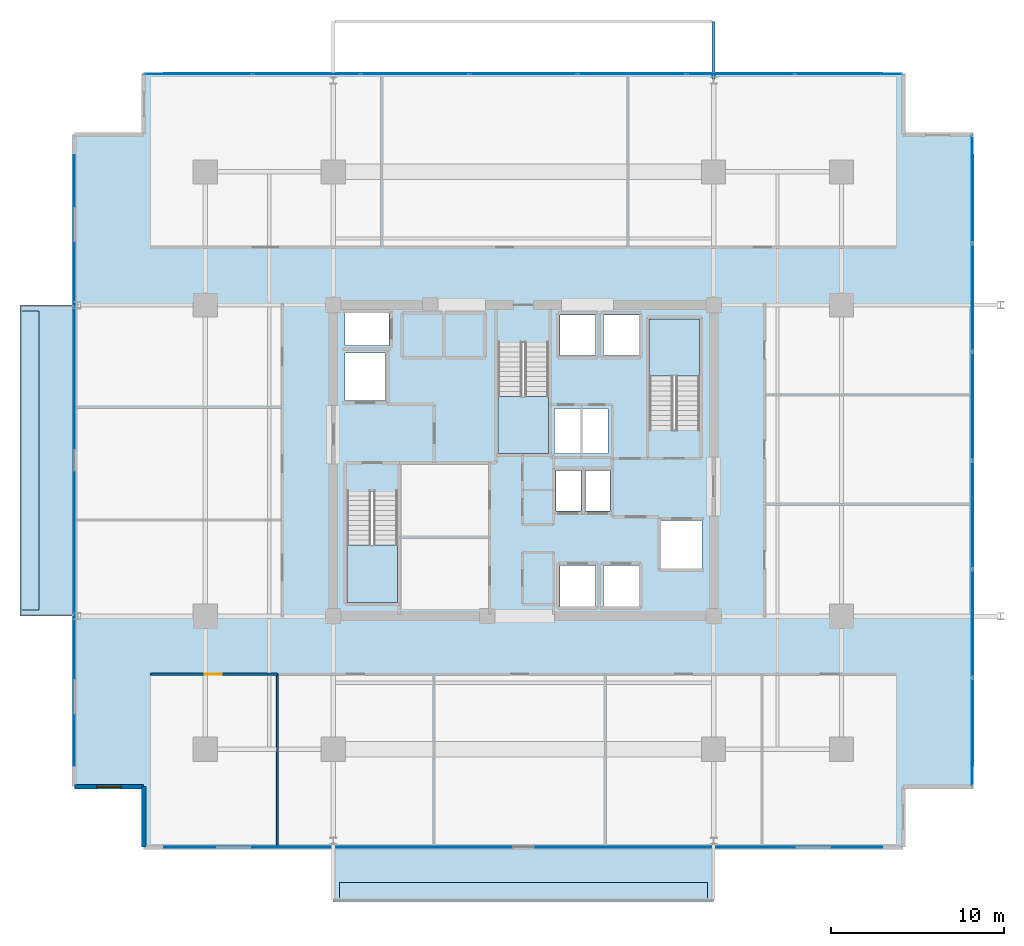
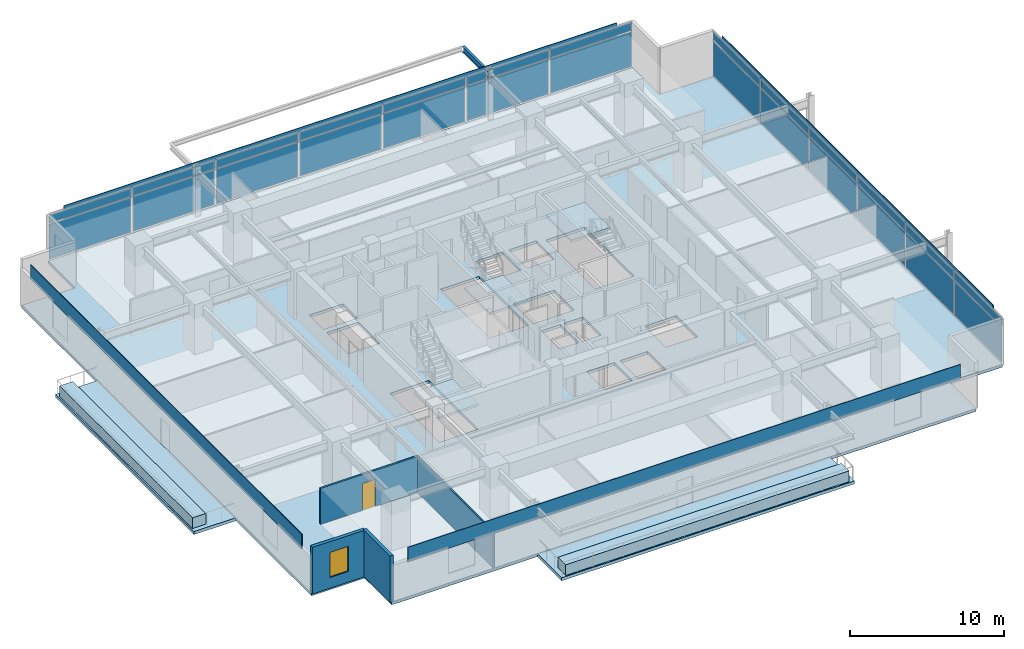
# One storey, part 13 of 22: 30 plates, 8 slabs, 4 walls, 1 beam, 1 door, 1 window, 2 openings, 5 elements without a shape of their own.
"""IFC4 building model written with IfcOpenShell, lengths in metres."""

from ifc_helpers import new_model, si_unit, direction, frame, frame_2d, origin, origin_2d, place, context, subcontext, project, spatial, polyline, rectangle, i_section, outline, extrude, material, layer, layer_set, material_profile, profile_set, type_object, element, fill, aggregate, save


model = new_model("IFC4")

# Units and contexts
model_context = context("Model", 3, precision=1e-05, world=origin(), true_north=direction((0.0, 1.0)))
body_context = subcontext(model_context, "Body", "Model", "MODEL_VIEW")
ifc_project = project(units=[si_unit("LENGTHUNIT", "METRE"), si_unit("AREAUNIT", "SQUARE_METRE"), si_unit("VOLUMEUNIT", "CUBIC_METRE"), si_unit("PLANEANGLEUNIT", "RADIAN"), si_unit("MASSUNIT", "GRAM", prefix="KILO")], contexts=[model_context])

# Site, building, storey
site_placement = place(None, origin())
site = spatial("IfcSite", under=ifc_project, at=site_placement, CompositionType="ELEMENT")
building_placement = place(site_placement, origin())
building = spatial("IfcBuilding", under=site, at=building_placement, Name="Kovane Verandah Tower", CompositionType="ELEMENT")
storey_placement = place(building_placement, frame((0.0, 0.0, 229.199951171875)))
storey = spatial("IfcBuildingStorey", under=building, at=storey_placement, Name="L53", CompositionType="ELEMENT", Elevation=229.199951171875)

# Beam
ifc_material_1 = material(Name="Steel S355", Category="steel")
ifc_material_profile = material_profile(ifc_material_1, i_section(OverallWidth=0.19287109375, OverallDepth=0.46728515625, WebThickness=0.011474609375, FlangeThickness=0.01953125, FilletRadius=0.01025390625, at=origin_2d()), Name="UB457x191x98")
ifc_profile_set = profile_set([ifc_material_profile], Name="Steel S355")
beam_type = type_object("IfcBeamType", Name="JST-UB457x98", PredefinedType="JOIST", material=ifc_profile_set)
beam_placement = place(storey_placement, frame((51.0, 49.580078125, 3.466552734375), z_axis=(0.0, 1.0, 0.0), x_axis=(-1.0, 0.0, 0.0)))
element("IfcBeam", 1, at=beam_placement, inside=storey, type_object=beam_type, Name="L53 North Planter Girder 2", PredefinedType="JOIST", context=body_context, shape_type="SweptSolid", body=[
    extrude(i_section(OverallWidth=0.19287109375, OverallDepth=0.46728515625, WebThickness=0.011474609375, FlangeThickness=0.01953125, FilletRadius=0.01025390625, at=origin_2d()), origin(), (0.0, 0.0, 1.0), 3.319580078125),
])

# Curtain wall, plates
ifc_material_2 = material(Name="Champagne Anodised Aluminium Frame with Low-E Clear Laminated Glass", Category="aluminium")
curtain_wall_type = type_object("IfcCurtainWallType", Name="CW-SYS-03-MID", PredefinedType="NOTDEFINED", material=ifc_material_2)
curtain_wall_1_placement = place(storey_placement, origin())
curtain_wall_1 = element("IfcCurtainWall", 2, at=curtain_wall_1_placement, inside=storey, type_object=curtain_wall_type, Name="L53 E Unitised Curtain Wall", PredefinedType="NOTDEFINED")
ifc_material_3 = material(Name="Pale Champagne Anodised Aluminium Insulated Spandrel", Category="aluminium")
ifc_layer_1 = layer(ifc_material_3, 0.0400390625)
ifc_layer_set_1 = layer_set([ifc_layer_1], Name="Pale Champagne Anodised Aluminium Insulated Spandrel")
plate_type_1 = type_object("IfcPlateType", Name="PL-CW-SPD-40", PredefinedType="SHEET", material=ifc_layer_set_1)
plate_1_placement = place(storey_placement, frame((65.96923828125, 11.783203125, 2.97021484375), z_axis=(0.0, 0.0, 1.0), x_axis=(0.0, 1.0, 0.0)))
plate_1 = element("IfcPlate", 3, at=plate_1_placement, type_object=plate_type_1, Name="L53 E Unitised Curtain Wall Spandrel Panel 1", PredefinedType="SHEET", context=body_context, shape_type="SweptSolid", body=[
    extrude(rectangle(XDim=6.146728515625, YDim=0.0400390625, at=origin_2d()), origin(), (0.0, 0.0, 1.0), 0.639892578125),
])
plate_2_placement = place(storey_placement, frame((65.96923828125, 18.070068359375, 2.97021484375), z_axis=(0.0, 0.0, 1.0), x_axis=(0.0, 1.0, 0.0)))
plate_2 = element("IfcPlate", 4, at=plate_2_placement, type_object=plate_type_1, Name="L53 E Unitised Curtain Wall Spandrel Panel 2", PredefinedType="SHEET", context=body_context, shape_type="SweptSolid", body=[
    extrude(rectangle(XDim=6.146728515625, YDim=0.0400390625, at=origin_2d()), origin(), (0.0, 0.0, 1.0), 0.639892578125),
])
plate_3_placement = place(storey_placement, frame((65.96923828125, 24.356689453125, 2.97021484375), z_axis=(0.0, 0.0, 1.0), x_axis=(0.0, 1.0, 0.0)))
plate_3 = element("IfcPlate", 5, at=plate_3_placement, type_object=plate_type_1, Name="L53 E Unitised Curtain Wall Spandrel Panel 3", PredefinedType="SHEET", context=body_context, shape_type="SweptSolid", body=[
    extrude(rectangle(XDim=6.146728515625, YDim=0.0400390625, at=origin_2d()), origin(), (0.0, 0.0, 1.0), 0.639892578125),
])
plate_4_placement = place(storey_placement, frame((65.96923828125, 30.643310546875, 2.97021484375), z_axis=(0.0, 0.0, 1.0), x_axis=(0.0, 1.0, 0.0)))
plate_4 = element("IfcPlate", 6, at=plate_4_placement, type_object=plate_type_1, Name="L53 E Unitised Curtain Wall Spandrel Panel 4", PredefinedType="SHEET", context=body_context, shape_type="SweptSolid", body=[
    extrude(rectangle(XDim=6.146728515625, YDim=0.0400390625, at=origin_2d()), origin(), (0.0, 0.0, 1.0), 0.639892578125),
])
plate_5_placement = place(storey_placement, frame((65.96923828125, 36.93017578125, 2.97021484375), z_axis=(0.0, 0.0, 1.0), x_axis=(0.0, 1.0, 0.0)))
plate_5 = element("IfcPlate", 7, at=plate_5_placement, type_object=plate_type_1, Name="L53 E Unitised Curtain Wall Spandrel Panel 5", PredefinedType="SHEET", context=body_context, shape_type="SweptSolid", body=[
    extrude(rectangle(XDim=6.146728515625, YDim=0.0400390625, at=origin_2d()), origin(), (0.0, 0.0, 1.0), 0.639892578125),
])
plate_6_placement = place(storey_placement, frame((65.96923828125, 43.216796875, 2.97021484375), z_axis=(0.0, 0.0, 1.0), x_axis=(0.0, 1.0, 0.0)))
plate_6 = element("IfcPlate", 8, at=plate_6_placement, type_object=plate_type_1, Name="L53 E Unitised Curtain Wall Spandrel Panel 6", PredefinedType="SHEET", context=body_context, shape_type="SweptSolid", body=[
    extrude(rectangle(XDim=6.146728515625, YDim=0.0400390625, at=origin_2d()), origin(), (0.0, 0.0, 1.0), 0.639892578125),
])

curtain_wall_2_placement = place(storey_placement, origin())
curtain_wall_2 = element("IfcCurtainWall", 9, at=curtain_wall_2_placement, inside=storey, type_object=curtain_wall_type, Name="L53 N Unitised Curtain Wall", PredefinedType="NOTDEFINED")
plate_7_placement = place(storey_placement, frame((58.830810546875, 49.860107421875, 2.97021484375), z_axis=(0.0, 0.0, 1.0), x_axis=(-1.0, 0.0, 0.0)))
plate_7 = element("IfcPlate", 10, at=plate_7_placement, type_object=plate_type_1, Name="L53 N Unitised Curtain Wall Spandrel Panel 1", PredefinedType="SHEET", context=body_context, shape_type="SweptSolid", body=[
    extrude(rectangle(XDim=6.136962890625, YDim=0.0400390625, at=origin_2d()), origin(), (0.0, 0.0, 1.0), 0.639892578125),
])
plate_8_placement = place(storey_placement, frame((52.553955078125, 49.860107421875, 2.97021484375), z_axis=(0.0, 0.0, 1.0), x_axis=(-1.0, 0.0, 0.0)))
plate_8 = element("IfcPlate", 11, at=plate_8_placement, type_object=plate_type_1, Name="L53 N Unitised Curtain Wall Spandrel Panel 2", PredefinedType="SHEET", context=body_context, shape_type="SweptSolid", body=[
    extrude(rectangle(XDim=6.136962890625, YDim=0.0400390625, at=origin_2d()), origin(), (0.0, 0.0, 1.0), 0.639892578125),
])
plate_9_placement = place(storey_placement, frame((46.27685546875, 49.860107421875, 2.97021484375), z_axis=(0.0, 0.0, 1.0), x_axis=(-1.0, 0.0, 0.0)))
plate_9 = element("IfcPlate", 12, at=plate_9_placement, type_object=plate_type_1, Name="L53 N Unitised Curtain Wall Spandrel Panel 3", PredefinedType="SHEET", context=body_context, shape_type="SweptSolid", body=[
    extrude(rectangle(XDim=6.136962890625, YDim=0.0400390625, at=origin_2d()), origin(), (0.0, 0.0, 1.0), 0.639892578125),
])
plate_10_placement = place(storey_placement, frame((40.0, 49.860107421875, 2.97021484375), z_axis=(0.0, 0.0, 1.0), x_axis=(-1.0, 0.0, 0.0)))
plate_10 = element("IfcPlate", 13, at=plate_10_placement, type_object=plate_type_1, Name="L53 N Unitised Curtain Wall Spandrel Panel 4", PredefinedType="SHEET", context=body_context, shape_type="SweptSolid", body=[
    extrude(rectangle(XDim=6.136962890625, YDim=0.0400390625, at=origin_2d()), origin(), (0.0, 0.0, 1.0), 0.639892578125),
])
plate_11_placement = place(storey_placement, frame((33.72314453125, 49.860107421875, 2.97021484375), z_axis=(0.0, 0.0, 1.0), x_axis=(-1.0, 0.0, 0.0)))
plate_11 = element("IfcPlate", 14, at=plate_11_placement, type_object=plate_type_1, Name="L53 N Unitised Curtain Wall Spandrel Panel 5", PredefinedType="SHEET", context=body_context, shape_type="SweptSolid", body=[
    extrude(rectangle(XDim=6.136962890625, YDim=0.0400390625, at=origin_2d()), origin(), (0.0, 0.0, 1.0), 0.639892578125),
])
plate_12_placement = place(storey_placement, frame((27.446044921875, 49.860107421875, 2.97021484375), z_axis=(0.0, 0.0, 1.0), x_axis=(-1.0, 0.0, 0.0)))
plate_12 = element("IfcPlate", 15, at=plate_12_placement, type_object=plate_type_1, Name="L53 N Unitised Curtain Wall Spandrel Panel 6", PredefinedType="SHEET", context=body_context, shape_type="SweptSolid", body=[
    extrude(rectangle(XDim=6.136962890625, YDim=0.0400390625, at=origin_2d()), origin(), (0.0, 0.0, 1.0), 0.639892578125),
])
plate_13_placement = place(storey_placement, frame((21.169189453125, 49.860107421875, 2.97021484375), z_axis=(0.0, 0.0, 1.0), x_axis=(-1.0, 0.0, 0.0)))
plate_13 = element("IfcPlate", 16, at=plate_13_placement, type_object=plate_type_1, Name="L53 N Unitised Curtain Wall Spandrel Panel 7", PredefinedType="SHEET", context=body_context, shape_type="SweptSolid", body=[
    extrude(rectangle(XDim=6.136962890625, YDim=0.0400390625, at=origin_2d()), origin(), (0.0, 0.0, 1.0), 0.639892578125),
])

# Plate
ifc_material_4 = material(Name="Clear Low-E Laminated Double Glazing", Category="glass")
ifc_layer_2 = layer(ifc_material_4, 0.031982421875)
ifc_layer_set_2 = layer_set([ifc_layer_2], Name="Clear Low-E Laminated Double Glazing")
plate_type_2 = type_object("IfcPlateType", Name="PL-CW-VIS-32", PredefinedType="CURTAIN_PANEL", material=ifc_layer_set_2)
plate_14_placement = place(storey_placement, frame((65.96923828125, 11.783203125, 0.10009765625), z_axis=(0.0, 0.0, 1.0), x_axis=(0.0, 1.0, 0.0)))
plate_14 = element("IfcPlate", 17, at=plate_14_placement, type_object=plate_type_2, Name="L53 E Unitised Curtain Wall Vision Panel 1", PredefinedType="CURTAIN_PANEL", context=body_context, shape_type="SweptSolid", body=[
    extrude(rectangle(XDim=6.146728515625, YDim=0.031982421875, at=origin_2d()), origin(), (0.0, 0.0, 1.0), 2.77001953125),
])

plate_15_placement = place(storey_placement, frame((65.96923828125, 18.070068359375, 0.10009765625), z_axis=(0.0, 0.0, 1.0), x_axis=(0.0, 1.0, 0.0)))
plate_15 = element("IfcPlate", 18, at=plate_15_placement, type_object=plate_type_2, Name="L53 E Unitised Curtain Wall Vision Panel 2", PredefinedType="CURTAIN_PANEL", context=body_context, shape_type="SweptSolid", body=[
    extrude(rectangle(XDim=6.146728515625, YDim=0.031982421875, at=origin_2d()), origin(), (0.0, 0.0, 1.0), 2.77001953125),
])

plate_16_placement = place(storey_placement, frame((65.96923828125, 24.356689453125, 0.10009765625), z_axis=(0.0, 0.0, 1.0), x_axis=(0.0, 1.0, 0.0)))
plate_16 = element("IfcPlate", 19, at=plate_16_placement, type_object=plate_type_2, Name="L53 E Unitised Curtain Wall Vision Panel 3", PredefinedType="CURTAIN_PANEL", context=body_context, shape_type="SweptSolid", body=[
    extrude(rectangle(XDim=6.146728515625, YDim=0.031982421875, at=origin_2d()), origin(), (0.0, 0.0, 1.0), 2.77001953125),
])

plate_17_placement = place(storey_placement, frame((65.96923828125, 30.643310546875, 0.10009765625), z_axis=(0.0, 0.0, 1.0), x_axis=(0.0, 1.0, 0.0)))
plate_17 = element("IfcPlate", 20, at=plate_17_placement, type_object=plate_type_2, Name="L53 E Unitised Curtain Wall Vision Panel 4", PredefinedType="CURTAIN_PANEL", context=body_context, shape_type="SweptSolid", body=[
    extrude(rectangle(XDim=6.146728515625, YDim=0.031982421875, at=origin_2d()), origin(), (0.0, 0.0, 1.0), 2.77001953125),
])

plate_18_placement = place(storey_placement, frame((65.96923828125, 36.93017578125, 0.10009765625), z_axis=(0.0, 0.0, 1.0), x_axis=(0.0, 1.0, 0.0)))
plate_18 = element("IfcPlate", 21, at=plate_18_placement, type_object=plate_type_2, Name="L53 E Unitised Curtain Wall Vision Panel 5", PredefinedType="CURTAIN_PANEL", context=body_context, shape_type="SweptSolid", body=[
    extrude(rectangle(XDim=6.146728515625, YDim=0.031982421875, at=origin_2d()), origin(), (0.0, 0.0, 1.0), 2.77001953125),
])

plate_19_placement = place(storey_placement, frame((65.96923828125, 43.216796875, 0.10009765625), z_axis=(0.0, 0.0, 1.0), x_axis=(0.0, 1.0, 0.0)))
plate_19 = element("IfcPlate", 22, at=plate_19_placement, type_object=plate_type_2, Name="L53 E Unitised Curtain Wall Vision Panel 6", PredefinedType="CURTAIN_PANEL", context=body_context, shape_type="SweptSolid", body=[
    extrude(rectangle(XDim=6.146728515625, YDim=0.031982421875, at=origin_2d()), origin(), (0.0, 0.0, 1.0), 2.77001953125),
])

aggregate(curtain_wall_1, [plate_14, plate_1, plate_15, plate_2, plate_16, plate_3, plate_17, plate_4, plate_18, plate_5, plate_19, plate_6])

plate_20_placement = place(storey_placement, frame((58.830810546875, 49.860107421875, 0.10009765625), z_axis=(0.0, 0.0, 1.0), x_axis=(-1.0, 0.0, 0.0)))
plate_20 = element("IfcPlate", 23, at=plate_20_placement, type_object=plate_type_2, Name="L53 N Unitised Curtain Wall Vision Panel 1", PredefinedType="CURTAIN_PANEL", context=body_context, shape_type="SweptSolid", body=[
    extrude(rectangle(XDim=6.136962890625, YDim=0.031982421875, at=origin_2d()), origin(), (0.0, 0.0, 1.0), 2.77001953125),
])

plate_21_placement = place(storey_placement, frame((52.553955078125, 49.860107421875, 0.10009765625), z_axis=(0.0, 0.0, 1.0), x_axis=(-1.0, 0.0, 0.0)))
plate_21 = element("IfcPlate", 24, at=plate_21_placement, type_object=plate_type_2, Name="L53 N Unitised Curtain Wall Vision Panel 2", PredefinedType="CURTAIN_PANEL", context=body_context, shape_type="SweptSolid", body=[
    extrude(rectangle(XDim=6.136962890625, YDim=0.031982421875, at=origin_2d()), origin(), (0.0, 0.0, 1.0), 2.77001953125),
])

plate_22_placement = place(storey_placement, frame((46.27685546875, 49.860107421875, 0.10009765625), z_axis=(0.0, 0.0, 1.0), x_axis=(-1.0, 0.0, 0.0)))
plate_22 = element("IfcPlate", 25, at=plate_22_placement, type_object=plate_type_2, Name="L53 N Unitised Curtain Wall Vision Panel 3", PredefinedType="CURTAIN_PANEL", context=body_context, shape_type="SweptSolid", body=[
    extrude(rectangle(XDim=6.136962890625, YDim=0.031982421875, at=origin_2d()), origin(), (0.0, 0.0, 1.0), 2.77001953125),
])

plate_23_placement = place(storey_placement, frame((40.0, 49.860107421875, 0.10009765625), z_axis=(0.0, 0.0, 1.0), x_axis=(-1.0, 0.0, 0.0)))
plate_23 = element("IfcPlate", 26, at=plate_23_placement, type_object=plate_type_2, Name="L53 N Unitised Curtain Wall Vision Panel 4", PredefinedType="CURTAIN_PANEL", context=body_context, shape_type="SweptSolid", body=[
    extrude(rectangle(XDim=6.136962890625, YDim=0.031982421875, at=origin_2d()), origin(), (0.0, 0.0, 1.0), 2.77001953125),
])

plate_24_placement = place(storey_placement, frame((33.72314453125, 49.860107421875, 0.10009765625), z_axis=(0.0, 0.0, 1.0), x_axis=(-1.0, 0.0, 0.0)))
plate_24 = element("IfcPlate", 27, at=plate_24_placement, type_object=plate_type_2, Name="L53 N Unitised Curtain Wall Vision Panel 5", PredefinedType="CURTAIN_PANEL", context=body_context, shape_type="SweptSolid", body=[
    extrude(rectangle(XDim=6.136962890625, YDim=0.031982421875, at=origin_2d()), origin(), (0.0, 0.0, 1.0), 2.77001953125),
])

plate_25_placement = place(storey_placement, frame((27.446044921875, 49.860107421875, 0.10009765625), z_axis=(0.0, 0.0, 1.0), x_axis=(-1.0, 0.0, 0.0)))
plate_25 = element("IfcPlate", 28, at=plate_25_placement, type_object=plate_type_2, Name="L53 N Unitised Curtain Wall Vision Panel 6", PredefinedType="CURTAIN_PANEL", context=body_context, shape_type="SweptSolid", body=[
    extrude(rectangle(XDim=6.136962890625, YDim=0.031982421875, at=origin_2d()), origin(), (0.0, 0.0, 1.0), 2.77001953125),
])

plate_26_placement = place(storey_placement, frame((21.169189453125, 49.860107421875, 0.10009765625), z_axis=(0.0, 0.0, 1.0), x_axis=(-1.0, 0.0, 0.0)))
plate_26 = element("IfcPlate", 29, at=plate_26_placement, type_object=plate_type_2, Name="L53 N Unitised Curtain Wall Vision Panel 7", PredefinedType="CURTAIN_PANEL", context=body_context, shape_type="SweptSolid", body=[
    extrude(rectangle(XDim=6.136962890625, YDim=0.031982421875, at=origin_2d()), origin(), (0.0, 0.0, 1.0), 2.77001953125),
])

aggregate(curtain_wall_2, [plate_20, plate_7, plate_21, plate_8, plate_22, plate_9, plate_23, plate_10, plate_24, plate_11, plate_25, plate_12, plate_26, plate_13])

# Plates
ifc_material_5 = material(Name="Perforated Pale Champagne Anodised Aluminium Solar Screen", Category="aluminium")
ifc_layer_3 = layer(ifc_material_5, 0.050048828125)
ifc_layer_set_3 = layer_set([ifc_layer_3], Name="Perforated Pale Champagne Anodised Aluminium Solar Screen")
plate_type_3 = type_object("IfcPlateType", Name="PL-SCREEN-50", PredefinedType="USERDEFINED", material=ifc_layer_set_3)
plate_27_placement = place(storey_placement, frame((40.0, 5.125, 2.800048828125), z_axis=(0.0, 0.0, 1.0), x_axis=(1.0, 0.0, 0.0)))
element("IfcPlate", 30, at=plate_27_placement, inside=storey, type_object=plate_type_3, Name="L53 S Perforated Champagne-Gold Solar Screen", ObjectType="SCREEN", PredefinedType="USERDEFINED", context=body_context, shape_type="SweptSolid", body=[
    extrude(rectangle(XDim=41.5390625, YDim=0.050048828125, at=origin_2d()), origin(), (0.0, 0.0, 1.0), 1.14990234375),
])
plate_28_placement = place(storey_placement, frame((65.984375, 27.5, 2.800048828125), z_axis=(0.0, 0.0, 1.0), x_axis=(0.0, 1.0, 0.0)))
element("IfcPlate", 31, at=plate_28_placement, inside=storey, type_object=plate_type_3, Name="L53 E Perforated Champagne-Gold Solar Screen", ObjectType="SCREEN", PredefinedType="USERDEFINED", context=body_context, shape_type="SweptSolid", body=[
    extrude(rectangle(XDim=35.320068359375, YDim=0.050048828125, at=origin_2d()), origin(), (0.0, 0.0, 1.0), 1.14990234375),
])
plate_29_placement = place(storey_placement, frame((40.0, 49.875, 2.800048828125), z_axis=(0.0, 0.0, 1.0), x_axis=(-1.0, 0.0, 0.0)))
element("IfcPlate", 32, at=plate_29_placement, inside=storey, type_object=plate_type_3, Name="L53 N Perforated Champagne-Gold Solar Screen", ObjectType="SCREEN", PredefinedType="USERDEFINED", context=body_context, shape_type="SweptSolid", body=[
    extrude(rectangle(XDim=41.5390625, YDim=0.050048828125, at=origin_2d()), origin(), (0.0, 0.0, 1.0), 1.14990234375),
])
plate_30_placement = place(storey_placement, frame((14.015625, 27.5, 2.800048828125), z_axis=(0.0, 0.0, 1.0), x_axis=(0.0, -1.0, 0.0)))
element("IfcPlate", 33, at=plate_30_placement, inside=storey, type_object=plate_type_3, Name="L53 W Perforated Champagne-Gold Solar Screen", ObjectType="SCREEN", PredefinedType="USERDEFINED", context=body_context, shape_type="SweptSolid", body=[
    extrude(rectangle(XDim=35.320068359375, YDim=0.050048828125, at=origin_2d()), origin(), (0.0, 0.0, 1.0), 1.14990234375),
])

# Slabs
ifc_material_6 = material(Name="Concrete C45/55", Category="concrete")
ifc_layer_4 = layer(ifc_material_6, 0.239990234375)
ifc_layer_set_4 = layer_set([ifc_layer_4], Name="Concrete C45/55")
slab_type_1 = type_object("IfcSlabType", Name="SL-BALC-240", PredefinedType="FLOOR", material=ifc_layer_set_4)
slab_1_placement = place(storey_placement, frame((0.0, 0.0, -0.239990234375)))
element("IfcSlab", 34, at=slab_1_placement, inside=storey, type_object=slab_type_1, Name="L53 S Planted Verandah Balcony Slab", PredefinedType="FLOOR", context=body_context, shape_type="SweptSolid", body=[
    extrude(outline(polyline([(29.0, 1.989990234375), (51.0, 1.989990234375), (51.0, 5.139892578125), (29.0, 5.139892578125), (29.0, 1.989990234375)])), origin(), (0.0, 0.0, 1.0), 0.239990234375),
])
slab_2_placement = place(storey_placement, frame((0.0, 0.0, -0.239990234375)))
element("IfcSlab", 35, at=slab_2_placement, inside=storey, type_object=slab_type_1, Name="L53 W Planted Verandah Balcony Slab", PredefinedType="FLOOR", context=body_context, shape_type="SweptSolid", body=[
    extrude(outline(polyline([(10.880615234375, 18.5), (14.03076171875, 18.5), (14.03076171875, 36.5), (10.880615234375, 36.5), (10.880615234375, 18.5)])), origin(), (0.0, 0.0, 1.0), 0.239990234375),
])

# Stair, slab
stair_type = type_object("IfcStairType", Name="ST-CORE-1380", PredefinedType="HALF_TURN_STAIR", material=ifc_material_6)
stair_1_placement = place(storey_placement, origin())
stair_1 = element("IfcStair", 36, at=stair_1_placement, inside=storey, type_object=stair_type, Name="L53 Exit Stair ST-01", PredefinedType="HALF_TURN_STAIR")
ifc_layer_5 = layer(ifc_material_6, 0.199951171875)
ifc_layer_set_5 = layer_set([ifc_layer_5], Name="Concrete C45/55")
slab_type_2 = type_object("IfcSlabType", Name="SL-LAND-200", PredefinedType="LANDING", material=ifc_layer_set_5)
slab_3_placement = place(storey_placement, frame((0.0, 0.0, 1.800048828125)))
slab_3 = element("IfcSlab", 37, at=slab_3_placement, type_object=slab_type_2, Name="ST-01 landing 1", PredefinedType="LANDING", context=body_context, shape_type="SweptSolid", body=[
    extrude(outline(polyline([(29.800048828125, 22.614990234375), (29.800048828125, 19.300048828125), (32.719970703125, 19.300048828125), (32.719970703125, 22.614990234375), (29.800048828125, 22.614990234375)])), origin(), (0.0, 0.0, 1.0), 0.199951171875),
])
aggregate(stair_1, [slab_3])

stair_2_placement = place(storey_placement, origin())
stair_2 = element("IfcStair", 38, at=stair_2_placement, inside=storey, type_object=stair_type, Name="L53 Exit Stair ST-02", PredefinedType="HALF_TURN_STAIR")
slab_4_placement = place(storey_placement, frame((0.0, 0.0, 1.800048828125)))
slab_4 = element("IfcSlab", 39, at=slab_4_placement, type_object=slab_type_2, Name="ST-02 landing 1", PredefinedType="LANDING", context=body_context, shape_type="SweptSolid", body=[
    extrude(outline(polyline([(50.199951171875, 32.385009765625), (50.199951171875, 35.699951171875), (47.280029296875, 35.699951171875), (47.280029296875, 32.385009765625), (50.199951171875, 32.385009765625)])), origin(), (0.0, 0.0, 1.0), 0.199951171875),
])
aggregate(stair_2, [slab_4])

stair_3_placement = place(storey_placement, origin())
stair_3 = element("IfcStair", 40, at=stair_3_placement, inside=storey, type_object=stair_type, Name="L53 Exit Stair ST-03", PredefinedType="HALF_TURN_STAIR")
slab_5_placement = place(storey_placement, frame((0.0, 0.0, 1.800048828125)))
slab_5 = element("IfcSlab", 41, at=slab_5_placement, type_object=slab_type_2, Name="ST-03 landing 1", PredefinedType="LANDING", context=body_context, shape_type="SweptSolid", body=[
    extrude(outline(polyline([(38.5400390625, 31.215087890625), (38.5400390625, 27.89990234375), (41.4599609375, 27.89990234375), (41.4599609375, 31.215087890625), (38.5400390625, 31.215087890625)])), origin(), (0.0, 0.0, 1.0), 0.199951171875),
])
aggregate(stair_3, [slab_5])

# Slabs
ifc_layer_6 = layer(ifc_material_6, 0.22509765625)
ifc_layer_set_6 = layer_set([ifc_layer_6], Name="Concrete C45/55")
slab_type_3 = type_object("IfcSlabType", Name="SL-MID-225", PredefinedType="FLOOR", material=ifc_layer_set_6)
slab_6_placement = place(storey_placement, frame((0.0, 0.0, -0.224853515625)))
element("IfcSlab", 42, at=slab_6_placement, inside=storey, type_object=slab_type_3, Name="L53 Structural Floor Slab", PredefinedType="FLOOR", context=body_context, shape_type="SweptSolid", body=[
    extrude(outline(polyline([(18.03076171875, 5.139892578125), (61.96923828125, 5.139892578125), (61.96923828125, 8.639892578125), (65.96923828125, 8.639892578125), (65.96923828125, 46.360107421875), (61.96923828125, 46.360107421875), (61.96923828125, 49.860107421875), (18.03076171875, 49.860107421875), (18.03076171875, 46.360107421875), (14.03076171875, 46.360107421875), (14.03076171875, 8.639892578125), (18.03076171875, 8.639892578125), (18.03076171875, 5.139892578125)]), holes=[polyline([(29.800048828125, 19.300048828125), (32.719970703125, 19.300048828125), (32.719970703125, 25.705078125), (29.800048828125, 25.705078125), (29.800048828125, 19.300048828125)]), polyline([(47.280029296875, 29.294921875), (50.199951171875, 29.294921875), (50.199951171875, 35.699951171875), (47.280029296875, 35.699951171875), (47.280029296875, 29.294921875)]), polyline([(38.5400390625, 27.89990234375), (41.4599609375, 27.89990234375), (41.4599609375, 34.304931640625), (38.5400390625, 34.304931640625), (38.5400390625, 27.89990234375)]), polyline([(29.669921875, 30.969970703125), (32.030029296875, 30.969970703125), (32.030029296875, 33.72998046875), (29.669921875, 33.72998046875), (29.669921875, 30.969970703125)]), polyline([(47.969970703125, 21.27001953125), (50.330078125, 21.27001953125), (50.330078125, 24.030029296875), (47.969970703125, 24.030029296875), (47.969970703125, 21.27001953125)]), polyline([(29.669921875, 34.169921875), (32.22998046875, 34.169921875), (32.22998046875, 36.030029296875), (29.669921875, 36.030029296875), (29.669921875, 34.169921875)]), polyline([(42.1201171875, 19.070068359375), (44.179931640625, 19.070068359375), (44.179931640625, 21.429931640625), (42.1201171875, 21.429931640625), (42.1201171875, 19.070068359375)]), polyline([(44.6201171875, 19.070068359375), (46.679931640625, 19.070068359375), (46.679931640625, 21.429931640625), (44.6201171875, 21.429931640625), (44.6201171875, 19.070068359375)]), polyline([(41.8798828125, 24.570068359375), (43.320068359375, 24.570068359375), (43.320068359375, 26.929931640625), (41.8798828125, 26.929931640625), (41.8798828125, 24.570068359375)]), polyline([(43.580078125, 24.570068359375), (45.0, 24.570068359375), (45.0, 26.929931640625), (43.580078125, 26.929931640625), (43.580078125, 24.570068359375)]), polyline([(42.1201171875, 33.570068359375), (44.179931640625, 33.570068359375), (44.179931640625, 35.929931640625), (42.1201171875, 35.929931640625), (42.1201171875, 33.570068359375)]), polyline([(44.6201171875, 33.570068359375), (46.679931640625, 33.570068359375), (46.679931640625, 35.929931640625), (44.6201171875, 35.929931640625), (44.6201171875, 33.570068359375)]), polyline([(41.800048828125, 27.89990234375), (44.89990234375, 27.89990234375), (44.89990234375, 30.5), (41.800048828125, 30.5), (41.800048828125, 27.89990234375)])]), origin(), (0.0, 0.0, 1.0), 0.224853515625),
])
ifc_material_7 = material(Name="Architectural Precast Concrete C45/55 Planter Trough", Category="concrete")
ifc_layer_7 = layer(ifc_material_7, 0.219970703125)
ifc_layer_set_7 = layer_set([ifc_layer_7], Name="Architectural Precast Concrete C45/55 Planter Trough")
slab_type_4 = type_object("IfcSlabType", Name="SL-PLANTER-220", PredefinedType="USERDEFINED", material=ifc_layer_set_7)
slab_7_placement = place(storey_placement, origin())
element("IfcSlab", 43, at=slab_7_placement, inside=storey, type_object=slab_type_4, Name="L53 S Structural Tree Planter", ObjectType="PLANTER", PredefinedType="USERDEFINED", context=body_context, shape_type="SweptSolid", body=[
    extrude(outline(polyline([(29.35009765625, 2.08984375), (50.64990234375, 2.08984375), (50.64990234375, 3.08984375), (29.35009765625, 3.08984375), (29.35009765625, 2.08984375)])), origin(), (0.0, 0.0, 1.0), 0.85009765625),
])
slab_8_placement = place(storey_placement, origin())
element("IfcSlab", 44, at=slab_8_placement, inside=storey, type_object=slab_type_4, Name="L53 W Structural Tree Planter", ObjectType="PLANTER", PredefinedType="USERDEFINED", context=body_context, shape_type="SweptSolid", body=[
    extrude(outline(polyline([(10.980712890625, 18.85009765625), (11.980712890625, 18.85009765625), (11.980712890625, 36.14990234375), (10.980712890625, 36.14990234375), (10.980712890625, 18.85009765625)])), origin(), (0.0, 0.0, 1.0), 0.85009765625),
])

# Wall, opening, door
ifc_material_8 = material(Name="Fire-Rated Gypsum Stud Partition", Category="gypsum")
ifc_layer_8 = layer(ifc_material_8, 0.14990234375)
ifc_layer_set_8 = layer_set([ifc_layer_8], Name="Fire-Rated Gypsum Stud Partition")
wall_type_1 = type_object("IfcWallType", Name="WL-COR-150", PredefinedType="PARTITIONING", material=ifc_layer_set_8)
wall_1_placement = place(storey_placement, frame((18.4306640625, 15.14990234375, 0.0), z_axis=(0.0, 0.0, 1.0), x_axis=(1.0, 0.0, 0.0)))
wall_1 = element("IfcWall", 45, at=wall_1_placement, inside=storey, type_object=wall_type_1, Name="L53 Breakout Pantry S1 Corridor Partition", PredefinedType="PARTITIONING", context=body_context, shape_type="SweptSolid", body=[
    extrude(rectangle(XDim=7.333740234375, YDim=0.14990234375, at=frame_2d((3.6669921875, 0.0))), origin(), (0.0, 0.0, 1.0), 2.85009765625),
])
opening_1_placement = place(wall_1_placement, frame((3.1318359375, 0.0, 0.0)))
opening_1 = element("IfcOpeningElement", 46, at=opening_1_placement, cuts=wall_1, Name="Opening DR-L53-021", PredefinedType="OPENING", context=body_context, shape_type="SweptSolid", body=[
    extrude(rectangle(XDim=1.0, YDim=2.14990234375, at=frame_2d((0.5, 1.074951171875))), frame((0.0, 0.074951171875, 0.0), z_axis=(0.0, -1.0, 0.0), x_axis=(1.0, 0.0, 0.0)), (0.0, 0.0, 1.0), 0.14990234375),
])
ifc_material_9 = material(Name="FSC Spotted-Gum Timber Fire-Rated Office Door", Category="wood")
door_type = type_object("IfcDoorType", Name="DR-OFF-1000", OperationType="SINGLE_SWING_LEFT", PredefinedType="DOOR", material=ifc_material_9)
door_placement = place(opening_1_placement, origin())
door = element("IfcDoor", 47, at=door_placement, inside=storey, type_object=door_type, Name="L53 Breakout Pantry S1 Entrance Door", OperationType="SINGLE_SWING_RIGHT", OverallHeight=2.14990234375, OverallWidth=1.0, PredefinedType="DOOR", context=body_context, shape_type="SweptSolid", body=[
    extrude(rectangle(XDim=1.0, YDim=2.14990234375, at=frame_2d((0.5, 1.074951171875))), frame((0.0, 0.02490234375, 0.0), z_axis=(0.0, -1.0, 0.0), x_axis=(1.0, 0.0, 0.0)), (0.0, 0.0, 1.0), 0.050048828125),
])
fill(opening_1, door)

# Wall
ifc_material_10 = material(Name="Acoustic Fire-Rated Gypsum Partition", Category="gypsum")
ifc_layer_9 = layer(ifc_material_10, 0.1201171875)
ifc_layer_set_9 = layer_set([ifc_layer_9], Name="Acoustic Fire-Rated Gypsum Partition")
wall_type_2 = type_object("IfcWallType", Name="WL-PART-120", PredefinedType="PARTITIONING", material=ifc_layer_set_9)
wall_2_placement = place(storey_placement, frame((25.764404296875, 5.239990234375, 0.0), z_axis=(0.0, 0.0, 1.0), x_axis=(0.0, 1.0, 0.0)))
element("IfcWall", 48, at=wall_2_placement, inside=storey, type_object=wall_type_2, Name="L53 Breakout Pantry S1 Dividing Partition", PredefinedType="PARTITIONING", context=body_context, shape_type="SweptSolid", body=[
    extrude(rectangle(XDim=9.909912109375, YDim=0.1201171875, at=frame_2d((4.955078125, 0.0))), origin(), (0.0, 0.0, 1.0), 2.85009765625),
])

# Wall, opening, window
ifc_material_11 = material(Name="Concrete C45/55 Insulated Spandrel Wall", Category="concrete")
ifc_layer_10 = layer(ifc_material_11, 0.260009765625)
ifc_layer_set_10 = layer_set([ifc_layer_10], Name="Concrete C45/55 Insulated Spandrel Wall")
wall_type_3 = type_object("IfcWallType", Name="WL-SPANDREL-260", PredefinedType="PARAPET", material=ifc_layer_set_10)
wall_3_placement = place(storey_placement, frame((14.03076171875, 8.639892578125, 0.0), z_axis=(0.0, 0.0, 1.0), x_axis=(1.0, 0.0, 0.0)))
wall_3 = element("IfcWall", 49, at=wall_3_placement, inside=storey, type_object=wall_type_3, Name="L53 SW Notch Cheek Wall 1", PredefinedType="PARAPET", context=body_context, shape_type="SweptSolid", body=[
    extrude(rectangle(XDim=4.0, YDim=0.260009765625, at=frame_2d((2.0, 0.0))), origin(), (0.0, 0.0, 1.0), 3.699951171875),
])
opening_2_placement = place(wall_3_placement, frame((1.300048828125, 0.0, 0.85009765625)))
opening_2 = element("IfcOpeningElement", 50, at=opening_2_placement, cuts=wall_3, Name="Opening W-01", PredefinedType="OPENING", context=body_context, shape_type="SweptSolid", body=[
    extrude(rectangle(XDim=1.39990234375, YDim=2.0, at=frame_2d((0.699951171875, 1.0))), frame((0.0, 0.1298828125, 0.0), z_axis=(0.0, -1.0, 0.0), x_axis=(1.0, 0.0, 0.0)), (0.0, 0.0, 1.0), 0.260009765625),
])
ifc_material_12 = material(Name="Clear Low-E Laminated Double Glazing in Anodised Frame", Category="glass")
window_type = type_object("IfcWindowType", Name="WN-OPER-1400x2000", PartitioningType="SINGLE_PANEL", PredefinedType="WINDOW", material=ifc_material_12)
window_placement = place(opening_2_placement, origin())
window = element("IfcWindow", 51, at=window_placement, inside=storey, type_object=window_type, Name="L53 SW Re-Entrant Corner Operable Window", OverallHeight=2.0, OverallWidth=1.39990234375, PartitioningType="SINGLE_PANEL", PredefinedType="WINDOW", context=body_context, shape_type="SweptSolid", body=[
    extrude(rectangle(XDim=1.39990234375, YDim=2.0, at=frame_2d((0.699951171875, 1.0))), frame((0.0, 0.030029296875, 0.0), z_axis=(0.0, -1.0, 0.0), x_axis=(1.0, 0.0, 0.0)), (0.0, 0.0, 1.0), 0.06005859375),
])
fill(opening_2, window)

# Wall
wall_4_placement = place(storey_placement, frame((18.03076171875, 8.639892578125, 0.0), z_axis=(0.0, 0.0, 1.0), x_axis=(0.0, -1.0, 0.0)))
element("IfcWall", 52, at=wall_4_placement, inside=storey, type_object=wall_type_3, Name="L53 SW Notch Cheek Wall 2", PredefinedType="PARAPET", context=body_context, shape_type="SweptSolid", body=[
    extrude(rectangle(XDim=3.5, YDim=0.260009765625, at=frame_2d((1.75, 0.0))), origin(), (0.0, 0.0, 1.0), 3.699951171875),
])

save(model, "model.ifc")
